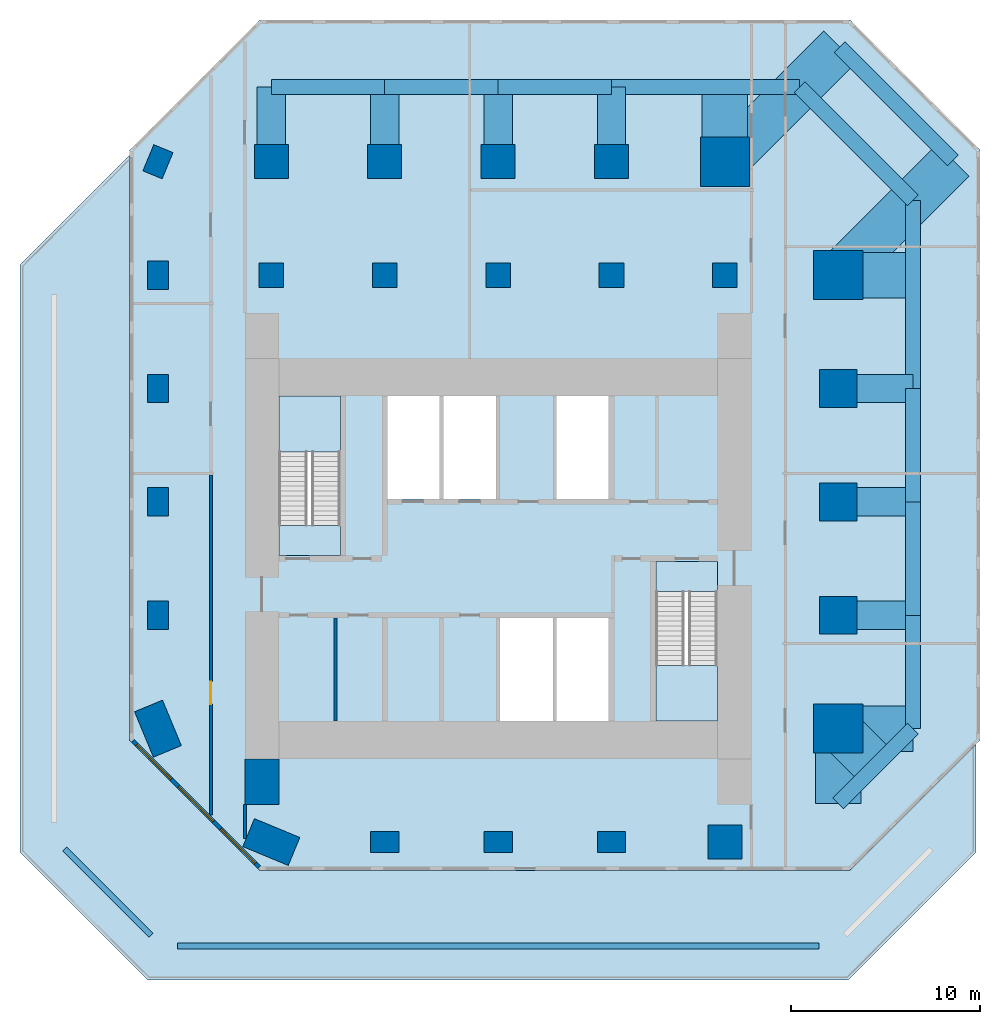
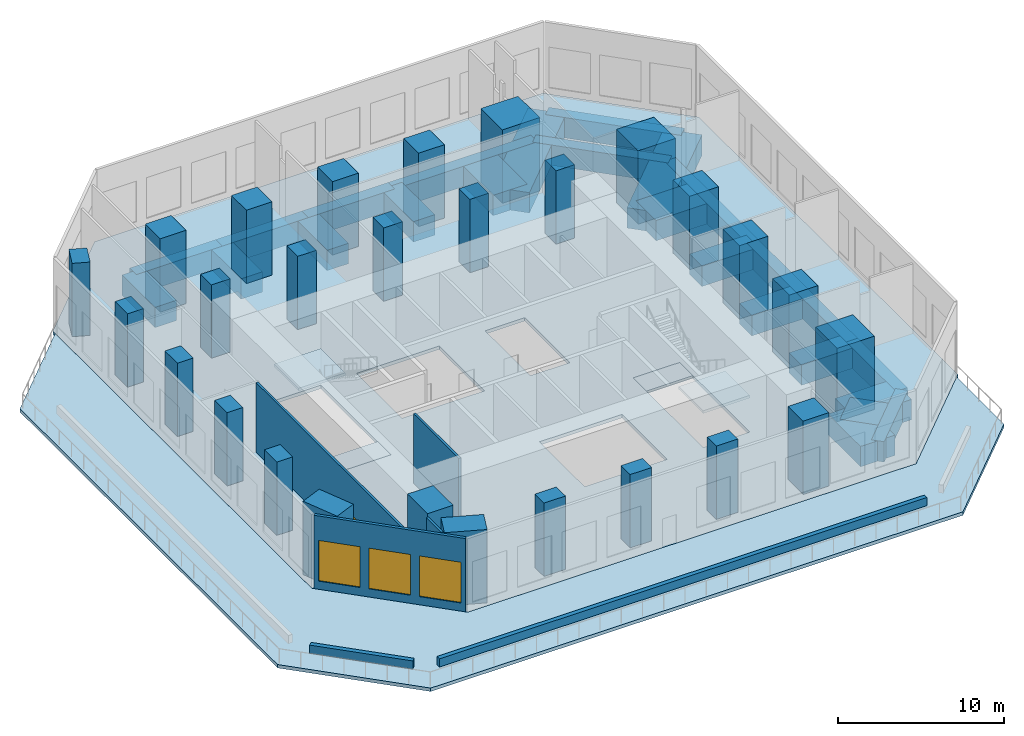
# One storey, part 1 of 7: 26 columns, 25 beams, 7 walls, 6 slabs, 3 windows, 1 door, 4 openings, 2 elements without a shape of their own.
"""IFC4 building model written with IfcOpenShell, lengths in metres."""

from ifc_helpers import new_model, si_unit, direction, frame, frame_2d, origin, origin_2d, place, context, subcontext, project, spatial, polyline, rectangle, outline, extrude, material, layer, layer_set, material_profile, profile_set, type_object, element, fill, aggregate, save


model = new_model("IFC4")

# Units and contexts
model_context = context("Model", 3, precision=1e-05, world=origin(), true_north=direction((0.0, 1.0)))
body_context = subcontext(model_context, "Body", "Model", "MODEL_VIEW")
ifc_project = project(units=[si_unit("LENGTHUNIT", "METRE"), si_unit("AREAUNIT", "SQUARE_METRE"), si_unit("VOLUMEUNIT", "CUBIC_METRE"), si_unit("PLANEANGLEUNIT", "RADIAN"), si_unit("MASSUNIT", "GRAM", prefix="KILO")], contexts=[model_context])

# Site, building, storey
site_placement = place(None, origin())
site = spatial("IfcSite", under=ifc_project, at=site_placement, CompositionType="ELEMENT")
building_placement = place(site_placement, origin())
building = spatial("IfcBuilding", under=site, at=building_placement, Name="Highveld Stack Headquarters", CompositionType="ELEMENT")
storey_placement = place(building_placement, frame((0.0, 0.0, 164.0)))
storey = spatial("IfcBuildingStorey", under=building, at=storey_placement, Name="L40", CompositionType="ELEMENT", Elevation=164.0)

# Columns
ifc_material_1 = material(Name="Concrete C60/75", Category="concrete")
ifc_material_profile_1 = material_profile(ifc_material_1, rectangle(XDim=1.300048828125, YDim=1.300048828125, at=origin_2d()), Name="RC 1300x1300")
ifc_profile_set_1 = profile_set([ifc_material_profile_1], Name="Concrete C60/75")
column_type_1 = type_object("IfcColumnType", Name="COLUMN RC 1300x1300 C60/75", PredefinedType="COLUMN", material=ifc_profile_set_1)
for number, where, z_axis, x_axis, name in (
    (1, (-6.0, 18.0, 0.0), (0.0, 0.0, 1.0), (1.0, 0.0, 0.0), "Column 5/H L40"),
    (2, (0.0, 18.0, 0.0), (0.0, 0.0, 1.0), (1.0, 0.0, 0.0), "Column 6/H L40"),
    (3, (6.0, 18.0, 0.0), (0.0, 0.0, 1.0), (1.0, 0.0, 0.0), "Column 7/H L40"),
    (4, (12.0, 18.0, 0.0), (0.0, 0.0, 1.0), (1.0, 0.0, 0.0), "Column 8/H L40"),
    (5, (18.0, 18.0, 0.0), (0.0, 0.0, 1.0), (1.0, 0.0, 0.0), "Column 9/H L40"),
):
    element("IfcColumn", number, at=place(storey_placement, frame(where, z_axis=z_axis, x_axis=x_axis)), inside=storey, type_object=column_type_1, Name=name, PredefinedType="COLUMN", context=body_context, shape_type="SweptSolid", body=[
        extrude(rectangle(XDim=1.300048828125, YDim=1.300048828125, at=origin_2d()), origin(), (0.0, 0.0, 1.0), 5.39990234375),
    ])
ifc_material_2 = material(Name="Concrete C60/75", Category="concrete")
ifc_material_profile_2 = material_profile(ifc_material_2, rectangle(XDim=1.5, YDim=1.10009765625, at=origin_2d()), Name="RC 1500x1100")
ifc_profile_set_2 = profile_set([ifc_material_profile_2], Name="Concrete C60/75")
column_type_2 = type_object("IfcColumnType", Name="COLUMN RC 1500x1100 C60/75", PredefinedType="COLUMN", material=ifc_profile_set_2)
for number, where, z_axis, x_axis, name in (
    (6, (-12.0, 0.0, 0.0), (0.0, 0.0, 1.0), (0.0, 1.0, 0.0), "Column 4/E L40"),
    (7, (-12.0, 6.0, 0.0), (0.0, 0.0, 1.0), (0.0, 1.0, 0.0), "Column 4/F L40"),
    (8, (-12.0, 12.0, 0.0), (0.0, 0.0, 1.0), (0.0, 1.0, 0.0), "Column 4/G L40"),
    (9, (-12.0, 18.0, 0.0), (0.0, 0.0, 1.0), (0.0, 1.0, 0.0), "Column 4/H L40"),
    (10, (-12.0, 24.0, 0.0), (0.0, 0.0, 1.0), (0.382683432365, 0.923879532511, 0.0), "Column 4/J L40"),
    (11, (0.0, -12.0, 0.0), (0.0, 0.0, 1.0), (1.0, 0.0, 0.0), "Column 6/C L40"),
    (12, (6.0, -12.0, 0.0), (0.0, 0.0, 1.0), (1.0, 0.0, 0.0), "Column 7/C L40"),
    (13, (12.0, -12.0, 0.0), (0.0, 0.0, 1.0), (1.0, 0.0, 0.0), "Column 8/C L40"),
):
    element("IfcColumn", number, at=place(storey_placement, frame(where, z_axis=z_axis, x_axis=x_axis)), inside=storey, type_object=column_type_2, Name=name, PredefinedType="COLUMN", context=body_context, shape_type="SweptSolid", body=[
        extrude(rectangle(XDim=1.5, YDim=1.10009765625, at=origin_2d()), origin(), (0.0, 0.0, 1.0), 5.39990234375),
    ])
ifc_material_3 = material(Name="Concrete C60/75", Category="concrete")
ifc_material_profile_3 = material_profile(ifc_material_3, rectangle(XDim=1.800048828125, YDim=1.800048828125, at=origin_2d()), Name="RC 1800x1800")
ifc_profile_set_3 = profile_set([ifc_material_profile_3], Name="Concrete C60/75")
column_type_3 = type_object("IfcColumnType", Name="COLUMN RC 1800x1800 C60/75", PredefinedType="COLUMN", material=ifc_profile_set_3)
for number, where, z_axis, x_axis, name in (
    (14, (-6.0, 24.0, 0.0), (0.0, 0.0, 1.0), (1.0, 0.0, 0.0), "Column 5/J L40"),
    (15, (0.0, 24.0, 0.0), (0.0, 0.0, 1.0), (1.0, 0.0, 0.0), "Column 6/J L40"),
    (16, (6.0, 24.0, 0.0), (0.0, 0.0, 1.0), (1.0, 0.0, 0.0), "Column 7/J L40"),
    (17, (12.0, 24.0, 0.0), (0.0, 0.0, 1.0), (1.0, 0.0, 0.0), "Column 8/J L40"),
    (18, (18.0, -12.0, 0.0), (0.0, 0.0, 1.0), (1.0, 0.0, 0.0), "Column 9/C L40"),
):
    element("IfcColumn", number, at=place(storey_placement, frame(where, z_axis=z_axis, x_axis=x_axis)), inside=storey, type_object=column_type_3, Name=name, PredefinedType="COLUMN", context=body_context, shape_type="SweptSolid", body=[
        extrude(rectangle(XDim=1.800048828125, YDim=1.800048828125, at=origin_2d()), origin(), (0.0, 0.0, 1.0), 5.39990234375),
    ])
ifc_material_4 = material(Name="Concrete C60/75", Category="concrete")
ifc_material_profile_4 = material_profile(ifc_material_4, rectangle(XDim=2.0, YDim=2.0, at=origin_2d()), Name="RC 2000x2000")
ifc_profile_set_4 = profile_set([ifc_material_profile_4], Name="Concrete C60/75")
column_type_4 = type_object("IfcColumnType", Name="COLUMN RC 2000x2000 C60/75", PredefinedType="COLUMN", material=ifc_profile_set_4)
for number, where, z_axis, x_axis, name in (
    (19, (24.0, 0.0, 0.0), (0.0, 0.0, 1.0), (1.0, 0.0, 0.0), "Column 10/E L40"),
    (20, (24.0, 6.0, 0.0), (0.0, 0.0, 1.0), (1.0, 0.0, 0.0), "Column 10/F L40"),
    (21, (24.0, 12.0, 0.0), (0.0, 0.0, 1.0), (1.0, 0.0, 0.0), "Column 10/G L40"),
):
    element("IfcColumn", number, at=place(storey_placement, frame(where, z_axis=z_axis, x_axis=x_axis)), inside=storey, type_object=column_type_4, Name=name, PredefinedType="COLUMN", context=body_context, shape_type="SweptSolid", body=[
        extrude(rectangle(XDim=2.0, YDim=2.0, at=origin_2d()), origin(), (0.0, 0.0, 1.0), 5.39990234375),
    ])
ifc_material_5 = material(Name="Concrete C60/75", Category="concrete")
ifc_material_profile_5 = material_profile(ifc_material_5, rectangle(XDim=2.60009765625, YDim=1.60009765625, at=origin_2d()), Name="RC 2600x1600")
ifc_profile_set_5 = profile_set([ifc_material_profile_5], Name="Concrete C60/75")
column_type_5 = type_object("IfcColumnType", Name="COLUMN RC 2600x1600 C60/75", PredefinedType="COLUMN", material=ifc_profile_set_5)
for number, where, z_axis, x_axis, name in (
    (22, (-12.0, -6.0, 0.0), (0.0, 0.0, 1.0), (-0.382683432365, 0.923879532511, 0.0), "Column 4/D L40"),
    (23, (-6.0, -12.0, 0.0), (0.0, 0.0, 1.0), (-0.923879532511, 0.382683432365, 0.0), "Column 5/C L40"),
):
    element("IfcColumn", number, at=place(storey_placement, frame(where, z_axis=z_axis, x_axis=x_axis)), inside=storey, type_object=column_type_5, Name=name, PredefinedType="COLUMN", context=body_context, shape_type="SweptSolid", body=[
        extrude(rectangle(XDim=2.60009765625, YDim=1.60009765625, at=origin_2d()), origin(), (0.0, 0.0, 1.0), 5.39990234375),
    ])
ifc_material_6 = material(Name="Concrete C60/75", Category="concrete")
ifc_material_profile_6 = material_profile(ifc_material_6, rectangle(XDim=2.60009765625, YDim=2.60009765625, at=origin_2d()), Name="RC 2600x2600")
ifc_profile_set_6 = profile_set([ifc_material_profile_6], Name="Concrete C60/75")
column_type_6 = type_object("IfcColumnType", Name="COLUMN RC 2600x2600 C60/75", PredefinedType="COLUMN", material=ifc_profile_set_6)
for number, where, z_axis, x_axis, name in (
    (24, (18.0, 24.0, 0.0), (0.0, 0.0, 1.0), (1.0, 0.0, 0.0), "Column 9/J L40"),
    (25, (24.0, -6.0, 0.0), (0.0, 0.0, 1.0), (1.0, 0.0, 0.0), "Column 10/D L40"),
    (26, (24.0, 18.0, 0.0), (0.0, 0.0, 1.0), (1.0, 0.0, 0.0), "Column 10/H L40"),
):
    element("IfcColumn", number, at=place(storey_placement, frame(where, z_axis=z_axis, x_axis=x_axis)), inside=storey, type_object=column_type_6, Name=name, PredefinedType="COLUMN", context=body_context, shape_type="SweptSolid", body=[
        extrude(rectangle(XDim=2.60009765625, YDim=2.60009765625, at=origin_2d()), origin(), (0.0, 0.0, 1.0), 5.39990234375),
    ])

# Beams
ifc_material_7 = material(Name="Concrete C60/75", Category="concrete")
ifc_material_profile_7 = material_profile(ifc_material_7, rectangle(XDim=1.5, YDim=1.5, at=origin_2d()), Name="RC 1500x1500")
ifc_profile_set_7 = profile_set([ifc_material_profile_7], Name="Concrete C60/75")
beam_type_1 = type_object("IfcBeamType", Name="CANTILEVER RIB RC 1500x1500", PredefinedType="USERDEFINED", material=ifc_profile_set_7)
for number, where, z_axis, x_axis, name in (
    (27, (-6.0, 24.0, -1.0), (0.0, 1.0, 0.0), (-1.0, 0.0, 0.0), "Cantilever rib 5/J L40"),
    (28, (0.0, 24.0, -1.0), (0.0, 1.0, 0.0), (-1.0, 0.0, 0.0), "Cantilever rib 6/J L40"),
    (29, (6.0, 24.0, -1.0), (0.0, 1.0, 0.0), (-1.0, 0.0, 0.0), "Cantilever rib 7/J L40"),
    (30, (12.0, 24.0, -1.0), (0.0, 1.0, 0.0), (-1.0, 0.0, 0.0), "Cantilever rib 8/J L40"),
    (31, (24.0, 0.0, -1.0), (1.0, 0.0, 0.0), (0.0, 1.0, 0.0), "Cantilever rib 10/E L40"),
    (32, (24.0, 6.0, -1.0), (1.0, 0.0, 0.0), (0.0, 1.0, 0.0), "Cantilever rib 10/F L40"),
    (33, (24.0, 12.0, -1.0), (1.0, 0.0, 0.0), (0.0, 1.0, 0.0), "Cantilever rib 10/G L40"),
):
    element("IfcBeam", number, at=place(storey_placement, frame(where, z_axis=z_axis, x_axis=x_axis)), inside=storey, type_object=beam_type_1, Name=name, ObjectType="CANTILEVER RIB", PredefinedType="USERDEFINED", context=body_context, shape_type="SweptSolid", body=[
        extrude(rectangle(XDim=1.5, YDim=1.5, at=origin_2d()), origin(), (0.0, 0.0, 1.0), 3.949951171875),
    ])
ifc_material_8 = material(Name="Concrete C60/75", Category="concrete")
ifc_material_profile_8 = material_profile(ifc_material_8, rectangle(XDim=2.39990234375, YDim=1.5, at=origin_2d()), Name="RC 2400x1500")
ifc_profile_set_8 = profile_set([ifc_material_profile_8], Name="Concrete C60/75")
beam_type_2 = type_object("IfcBeamType", Name="CANTILEVER RIB RC 2400x1500", PredefinedType="USERDEFINED", material=ifc_profile_set_8)
beam_1_placement = place(storey_placement, frame((18.0, 24.0, -1.0), z_axis=(0.0, 1.0, 0.0), x_axis=(-1.0, 0.0, 0.0)))
element("IfcBeam", 34, at=beam_1_placement, inside=storey, type_object=beam_type_2, Name="Cantilever rib 9/J L40", ObjectType="CANTILEVER RIB", PredefinedType="USERDEFINED", context=body_context, shape_type="SweptSolid", body=[
    extrude(rectangle(XDim=2.39990234375, YDim=1.5, at=origin_2d()), origin(), (0.0, 0.0, 1.0), 3.949951171875),
])
beam_2_placement = place(storey_placement, frame((18.0, 24.0, -1.0), z_axis=(0.707106781187, 0.707106781187, 0.0), x_axis=(-0.707106781187, 0.707106781187, 0.0)))
element("IfcBeam", 35, at=beam_2_placement, inside=storey, type_object=beam_type_2, Name="Cantilever rib 9/J L40", ObjectType="CANTILEVER RIB", PredefinedType="USERDEFINED", context=body_context, shape_type="SweptSolid", body=[
    extrude(rectangle(XDim=2.39990234375, YDim=1.5, at=origin_2d()), origin(), (0.0, 0.0, 1.0), 8.585693359375),
])
for number, where, z_axis, x_axis, name in (
    (36, (24.0, -6.0, -1.0), (1.0, 0.0, 0.0), (0.0, 1.0, 0.0), "Cantilever rib 10/D L40"),
    (37, (24.0, -6.0, -1.0), (0.0, -1.0, 0.0), (1.0, 0.0, 0.0), "Cantilever rib 10/D L40"),
):
    element("IfcBeam", number, at=place(storey_placement, frame(where, z_axis=z_axis, x_axis=x_axis)), inside=storey, type_object=beam_type_2, Name=name, ObjectType="CANTILEVER RIB", PredefinedType="USERDEFINED", context=body_context, shape_type="SweptSolid", body=[
        extrude(rectangle(XDim=2.39990234375, YDim=1.5, at=origin_2d()), origin(), (0.0, 0.0, 1.0), 3.949951171875),
    ])
beam_3_placement = place(storey_placement, frame((24.0, -6.0, -1.0), z_axis=(0.707106781187, -0.707106781187, 0.0), x_axis=(0.707106781187, 0.707106781187, 0.0)))
element("IfcBeam", 38, at=beam_3_placement, inside=storey, type_object=beam_type_2, Name="Cantilever rib 10/D L40", ObjectType="CANTILEVER RIB", PredefinedType="USERDEFINED", context=body_context, shape_type="SweptSolid", body=[
    extrude(rectangle(XDim=2.39990234375, YDim=1.5, at=origin_2d()), origin(), (0.0, 0.0, 1.0), 2.793212890625),
])
beam_4_placement = place(storey_placement, frame((24.0, 18.0, -1.0), z_axis=(1.0, 0.0, 0.0), x_axis=(0.0, 1.0, 0.0)))
element("IfcBeam", 39, at=beam_4_placement, inside=storey, type_object=beam_type_2, Name="Cantilever rib 10/H L40", ObjectType="CANTILEVER RIB", PredefinedType="USERDEFINED", context=body_context, shape_type="SweptSolid", body=[
    extrude(rectangle(XDim=2.39990234375, YDim=1.5, at=origin_2d()), origin(), (0.0, 0.0, 1.0), 3.949951171875),
])
beam_5_placement = place(storey_placement, frame((24.0, 18.0, -1.0), z_axis=(0.707106781187, 0.707106781187, 0.0), x_axis=(-0.707106781187, 0.707106781187, 0.0)))
element("IfcBeam", 40, at=beam_5_placement, inside=storey, type_object=beam_type_2, Name="Cantilever rib 10/H L40", ObjectType="CANTILEVER RIB", PredefinedType="USERDEFINED", context=body_context, shape_type="SweptSolid", body=[
    extrude(rectangle(XDim=2.39990234375, YDim=1.5, at=origin_2d()), origin(), (0.0, 0.0, 1.0), 8.585693359375),
])
ifc_material_9 = material(Name="Concrete C60/75", Category="concrete")
ifc_material_profile_9 = material_profile(ifc_material_9, rectangle(XDim=0.800048828125, YDim=1.5, at=origin_2d()), Name="RC 800x1500")
ifc_profile_set_9 = profile_set([ifc_material_profile_9], Name="Concrete C60/75")
beam_type_3 = type_object("IfcBeamType", Name="RIB TIP BEAM RC 800x1500", PredefinedType="SPANDREL", material=ifc_profile_set_9)
for number, where, z_axis, x_axis, name in (
    (41, (27.949951171875, -6.0, -1.0), (0.0, 1.0, 0.0), (-1.0, 0.0, 0.0), "Rib tip beam 10/D to 10/E L40"),
    (42, (27.949951171875, 0.0, -1.0), (0.0, 1.0, 0.0), (-1.0, 0.0, 0.0), "Rib tip beam 10/E to 10/F L40"),
    (43, (27.949951171875, 6.0, -1.0), (0.0, 1.0, 0.0), (-1.0, 0.0, 0.0), "Rib tip beam 10/F to 10/G L40"),
):
    element("IfcBeam", number, at=place(storey_placement, frame(where, z_axis=z_axis, x_axis=x_axis)), inside=storey, type_object=beam_type_3, Name=name, PredefinedType="SPANDREL", context=body_context, shape_type="SweptSolid", body=[
        extrude(rectangle(XDim=0.800048828125, YDim=1.5, at=origin_2d()), origin(), (0.0, 0.0, 1.0), 6.0),
    ])
beam_6_placement = place(storey_placement, frame((27.949951171875, 12.0, -1.0), z_axis=(0.0, 1.0, 0.0), x_axis=(-1.0, 0.0, 0.0)))
element("IfcBeam", 44, at=beam_6_placement, inside=storey, type_object=beam_type_3, Name="Rib tip beam 10/G to 10/H L40", PredefinedType="SPANDREL", context=body_context, shape_type="SweptSolid", body=[
    extrude(rectangle(XDim=0.800048828125, YDim=1.5, at=origin_2d()), origin(), (0.0, 0.0, 1.0), 9.949951171875),
])
for number, where, z_axis, x_axis, name in (
    (45, (-6.0, 27.949951171875, -1.0), (1.0, 0.0, 0.0), (0.0, 1.0, 0.0), "Rib tip beam 5/J to 6/J L40"),
    (46, (0.0, 27.949951171875, -1.0), (1.0, 0.0, 0.0), (0.0, 1.0, 0.0), "Rib tip beam 6/J to 7/J L40"),
    (47, (6.0, 27.949951171875, -1.0), (1.0, 0.0, 0.0), (0.0, 1.0, 0.0), "Rib tip beam 7/J to 8/J L40"),
):
    element("IfcBeam", number, at=place(storey_placement, frame(where, z_axis=z_axis, x_axis=x_axis)), inside=storey, type_object=beam_type_3, Name=name, PredefinedType="SPANDREL", context=body_context, shape_type="SweptSolid", body=[
        extrude(rectangle(XDim=0.800048828125, YDim=1.5, at=origin_2d()), origin(), (0.0, 0.0, 1.0), 6.0),
    ])
beam_7_placement = place(storey_placement, frame((12.0, 27.949951171875, -1.0), z_axis=(1.0, 0.0, 0.0), x_axis=(0.0, 1.0, 0.0)))
element("IfcBeam", 48, at=beam_7_placement, inside=storey, type_object=beam_type_3, Name="Rib tip beam 8/J to 9/J L40", PredefinedType="SPANDREL", context=body_context, shape_type="SweptSolid", body=[
    extrude(rectangle(XDim=0.800048828125, YDim=1.5, at=origin_2d()), origin(), (0.0, 0.0, 1.0), 9.949951171875),
])
for number, where, z_axis, x_axis, name in (
    (49, (21.949951171875, 27.949951171875, -1.0), (0.707106781187, -0.707106781187, 0.0), (0.707106781187, 0.707106781187, 0.0), "Rib tip beam 9/J to 10/H chamfer L40"),
    (50, (24.071044921875, 30.071044921875, -1.0), (0.707106781187, -0.707106781187, 0.0), (0.707106781187, 0.707106781187, 0.0), "Rib tip beam 9/J to 10/H chamfer edge L40"),
):
    element("IfcBeam", number, at=place(storey_placement, frame(where, z_axis=z_axis, x_axis=x_axis)), inside=storey, type_object=beam_type_3, Name=name, PredefinedType="SPANDREL", context=body_context, shape_type="SweptSolid", body=[
        extrude(rectangle(XDim=0.800048828125, YDim=1.5, at=origin_2d()), origin(), (0.0, 0.0, 1.0), 8.4853515625),
    ])
beam_8_placement = place(storey_placement, frame((27.949951171875, -6.0, -1.0), z_axis=(-0.707106781187, -0.707106781187, 0.0), x_axis=(0.707106781187, -0.707106781187, 0.0)))
element("IfcBeam", 51, at=beam_8_placement, inside=storey, type_object=beam_type_3, Name="Rib tip beam 10/D corner L40", PredefinedType="SPANDREL", context=body_context, shape_type="SweptSolid", body=[
    extrude(rectangle(XDim=0.800048828125, YDim=1.5, at=origin_2d()), origin(), (0.0, 0.0, 1.0), 5.586181640625),
])

# Slab
ifc_material_10 = material(Name="Concrete C60/75", Category="concrete")
ifc_layer_1 = layer(ifc_material_10, 0.25)
ifc_layer_set_1 = layer_set([ifc_layer_1], Name="Concrete C60/75")
slab_type_1 = type_object("IfcSlabType", Name="PT FLAT SLAB 250", PredefinedType="FLOOR", material=ifc_layer_set_1)
slab_1_placement = place(storey_placement, frame((0.0, 0.0, -0.25)))
element("IfcSlab", 52, at=slab_1_placement, inside=storey, type_object=slab_type_1, Name="Floor slab L40", PredefinedType="FLOOR", context=body_context, shape_type="SweptSolid", body=[
    extrude(outline(polyline([(-6.621337890625, -13.5), (24.621337890625, -13.5), (31.5, -6.621337890625), (31.5, 24.621337890625), (24.621337890625, 31.5), (-6.621337890625, 31.5), (-13.5, 24.621337890625), (-13.5, -6.621337890625), (-6.621337890625, -13.5)]), holes=[polyline([(0.14990234375, 6.14990234375), (5.89990234375, 6.14990234375), (5.89990234375, 11.60009765625), (0.14990234375, 11.60009765625), (0.14990234375, 6.14990234375)]), polyline([(9.10009765625, 6.14990234375), (11.85009765625, 6.14990234375), (11.85009765625, 11.60009765625), (9.10009765625, 11.60009765625), (9.10009765625, 6.14990234375)]), polyline([(6.10009765625, -5.60009765625), (11.85009765625, -5.60009765625), (11.85009765625, -0.14990234375), (6.10009765625, -0.14990234375), (6.10009765625, -5.60009765625)]), polyline([(-5.60009765625, 3.14990234375), (-2.35009765625, 3.14990234375), (-2.35009765625, 11.60009765625), (-5.60009765625, 11.60009765625), (-5.60009765625, 3.14990234375)]), polyline([(14.35009765625, -5.60009765625), (17.60009765625, -5.60009765625), (17.60009765625, 2.85009765625), (14.35009765625, 2.85009765625), (14.35009765625, -5.60009765625)])]), origin(), (0.0, 0.0, 1.0), 0.25),
])

# Stair, slabs
ifc_material_11 = material(Name="Concrete C40/50, precast", Category="concrete")
stair_type_1 = type_object("IfcStairType", Name="STAIR S1 HALF TURN 1500", PredefinedType="HALF_TURN_STAIR", material=ifc_material_11)
stair_1_placement = place(storey_placement, origin())
stair_1 = element("IfcStair", 53, at=stair_1_placement, inside=storey, type_object=stair_type_1, Name="Stair S1 L40", PredefinedType="HALF_TURN_STAIR")
ifc_material_12 = material(Name="Concrete C40/50, precast", Category="concrete")
ifc_layer_2 = layer(ifc_material_12, 0.199951171875)
ifc_layer_set_2 = layer_set([ifc_layer_2], Name="Concrete C40/50, precast")
slab_type_2 = type_object("IfcSlabType", Name="STAIR LANDING 200", PredefinedType="LANDING", material=ifc_layer_set_2)
slab_2_placement = place(storey_placement, frame((0.0, 0.0, 2.5)))
slab_2 = element("IfcSlab", 54, at=slab_2_placement, type_object=slab_type_2, Name="S1 landing 1", PredefinedType="LANDING", context=body_context, shape_type="SweptSolid", body=[
    extrude(outline(polyline([(-5.60009765625, 8.64990234375), (-2.35009765625, 8.64990234375), (-2.35009765625, 11.60009765625), (-5.60009765625, 11.60009765625), (-5.60009765625, 8.64990234375)])), origin(), (0.0, 0.0, 1.0), 0.199951171875),
])
slab_3_placement = place(storey_placement, frame((0.0, 0.0, -0.199951171875)))
slab_3 = element("IfcSlab", 55, at=slab_3_placement, type_object=slab_type_2, Name="S1 landing 2", PredefinedType="LANDING", context=body_context, shape_type="SweptSolid", body=[
    extrude(outline(polyline([(-5.60009765625, 3.14990234375), (-2.35009765625, 3.14990234375), (-2.35009765625, 4.75), (-5.60009765625, 4.75), (-5.60009765625, 3.14990234375)])), origin(), (0.0, 0.0, 1.0), 0.199951171875),
])
aggregate(stair_1, [slab_2, slab_3])

ifc_material_13 = material(Name="Concrete C40/50, precast", Category="concrete")
stair_type_2 = type_object("IfcStairType", Name="STAIR S2 HALF TURN 1500", PredefinedType="HALF_TURN_STAIR", material=ifc_material_13)
stair_2_placement = place(storey_placement, origin())
stair_2 = element("IfcStair", 56, at=stair_2_placement, inside=storey, type_object=stair_type_2, Name="Stair S2 L40", PredefinedType="HALF_TURN_STAIR")
slab_4_placement = place(storey_placement, frame((0.0, 0.0, 2.5)))
slab_4 = element("IfcSlab", 57, at=slab_4_placement, type_object=slab_type_2, Name="S2 landing 1", PredefinedType="LANDING", context=body_context, shape_type="SweptSolid", body=[
    extrude(outline(polyline([(14.35009765625, -5.60009765625), (17.60009765625, -5.60009765625), (17.60009765625, -2.64990234375), (14.35009765625, -2.64990234375), (14.35009765625, -5.60009765625)])), origin(), (0.0, 0.0, 1.0), 0.199951171875),
])
slab_5_placement = place(storey_placement, frame((0.0, 0.0, -0.199951171875)))
slab_5 = element("IfcSlab", 58, at=slab_5_placement, type_object=slab_type_2, Name="S2 landing 2", PredefinedType="LANDING", context=body_context, shape_type="SweptSolid", body=[
    extrude(outline(polyline([(14.35009765625, 1.25), (17.60009765625, 1.25), (17.60009765625, 2.85009765625), (14.35009765625, 2.85009765625), (14.35009765625, 1.25)])), origin(), (0.0, 0.0, 1.0), 0.199951171875),
])
aggregate(stair_2, [slab_4, slab_5])

# Slab
ifc_material_14 = material(Name="Concrete C60/75", Category="concrete")
ifc_layer_3 = layer(ifc_material_14, 0.25)
ifc_layer_set_3 = layer_set([ifc_layer_3], Name="Concrete C60/75")
slab_type_3 = type_object("IfcSlabType", Name="TERRACE SLAB 250", PredefinedType="FLOOR", material=ifc_layer_set_3)
slab_6_placement = place(storey_placement, frame((0.0, 0.0, -0.25)))
element("IfcSlab", 59, at=slab_6_placement, inside=storey, type_object=slab_type_3, Name="Planted terrace L40", PredefinedType="FLOOR", context=body_context, shape_type="SweptSolid", body=[
    extrude(outline(polyline([(31.300048828125, -12.53857421875), (24.53857421875, -19.300048828125), (-12.53857421875, -19.300048828125), (-19.300048828125, -12.53857421875), (-19.300048828125, 18.53857421875), (-13.5, 24.33837890625), (-13.5, -6.621337890625), (-6.621337890625, -13.5), (24.621337890625, -13.5), (31.300048828125, -6.8212890625), (31.300048828125, -12.53857421875)])), origin(), (0.0, 0.0, 1.0), 0.25),
])

# Wall
ifc_material_15 = material(Name="Concrete C60/75", Category="concrete")
ifc_layer_4 = layer(ifc_material_15, 1.800048828125)
ifc_layer_set_4 = layer_set([ifc_layer_4], Name="Concrete C60/75")
wall_type_1 = type_object("IfcWallType", Name="CORE WING WALL 1800 C60/75", PredefinedType="SHEAR", material=ifc_layer_set_4)
wall_1_placement = place(storey_placement, frame((-6.5, -10.0, 0.0), z_axis=(0.0, 0.0, 1.0), x_axis=(0.0, 1.0, 0.0)))
element("IfcWall", 60, at=wall_1_placement, inside=storey, type_object=wall_type_1, Name="Core wing wall WS L40", PredefinedType="SHEAR", context=body_context, shape_type="SweptSolid", body=[
    extrude(rectangle(XDim=2.39990234375, YDim=1.800048828125, at=frame_2d((1.199951171875, 0.0))), origin(), (0.0, 0.0, 1.0), 5.39990234375),
])

# Wall, opening, door
ifc_material_16 = material(Name="Concrete blockwork, plastered", Category="masonry")
ifc_layer_5 = layer(ifc_material_16, 0.14990234375)
ifc_layer_set_5 = layer_set([ifc_layer_5], Name="Concrete blockwork, plastered")
wall_type_2 = type_object("IfcWallType", Name="FIRE PARTITION 150 BLOCKWORK", PredefinedType="PARTITIONING", material=ifc_layer_set_5)
wall_2_placement = place(storey_placement, frame((-9.199951171875, -10.555908203125, 0.0), z_axis=(0.0, 0.0, 1.0), x_axis=(0.0, 1.0, 0.0)))
wall_2 = element("IfcWall", 61, at=wall_2_placement, inside=storey, type_object=wall_type_2, Name="Partition office neighbourhood L40", PredefinedType="PARTITIONING", context=body_context, shape_type="SweptSolid", body=[
    extrude(rectangle(XDim=17.98095703125, YDim=0.14990234375, at=frame_2d((8.990478515625, 0.0))), origin(), (0.0, 0.0, 1.0), 5.14990234375),
])
opening_1_placement = place(wall_2_placement, frame((5.85009765625, 0.0, 0.0)))
opening_1 = element("IfcOpeningElement", 62, at=opening_1_placement, cuts=wall_2, Name="Opening L40-15", PredefinedType="OPENING", context=body_context, shape_type="SweptSolid", body=[
    extrude(rectangle(XDim=1.199951171875, YDim=2.39990234375, at=frame_2d((0.60009765625, 1.199951171875))), frame((0.0, 0.0849609375, 0.0), z_axis=(0.0, -1.0, 0.0), x_axis=(1.0, 0.0, 0.0)), (0.0, 0.0, 1.0), 0.169921875),
])
ifc_material_17 = material(Name="Steel fire door", Category="steel")
door_type = type_object("IfcDoorType", Name="PLANT FIRE DOOR D7 1200x2400", OperationType="SINGLE_SWING_LEFT", PredefinedType="DOOR", material=ifc_material_17)
door_placement = place(opening_1_placement, origin())
door = element("IfcDoor", 63, at=door_placement, inside=storey, type_object=door_type, Name="Plant room door L40", OperationType="SINGLE_SWING_LEFT", OverallHeight=2.39990234375, OverallWidth=1.199951171875, PredefinedType="DOOR", context=body_context, shape_type="SweptSolid", body=[
    extrude(rectangle(XDim=1.199951171875, YDim=2.39990234375, at=frame_2d((0.60009765625, 1.199951171875))), frame((0.0, 0.02490234375, 0.0), z_axis=(0.0, -1.0, 0.0), x_axis=(1.0, 0.0, 0.0)), (0.0, 0.0, 1.0), 0.050048828125),
])
fill(opening_1, door)

# Walls
wall_3_placement = place(storey_placement, frame((-7.39990234375, -11.8017578125, 0.0), z_axis=(0.0, 0.0, 1.0), x_axis=(0.0, 1.0, 0.0)))
element("IfcWall", 64, at=wall_3_placement, inside=storey, type_object=wall_type_2, Name="Partition office neighbourhood L40", PredefinedType="PARTITIONING", context=body_context, shape_type="SweptSolid", body=[
    extrude(rectangle(XDim=1.8017578125, YDim=0.14990234375, at=frame_2d((0.90087890625, 0.0))), origin(), (0.0, 0.0, 1.0), 5.14990234375),
])
ifc_material_18 = material(Name="Concrete C40/50, precast planter", Category="concrete")
ifc_layer_6 = layer(ifc_material_18, 0.300048828125)
ifc_layer_set_6 = layer_set([ifc_layer_6], Name="Concrete C40/50, precast planter")
wall_type_3 = type_object("IfcWallType", Name="PLANTER WALL PL1 300", PredefinedType="USERDEFINED", material=ifc_layer_set_6)
wall_4_placement = place(storey_placement, frame((22.976318359375, -17.5, 0.0), z_axis=(0.0, 0.0, 1.0), x_axis=(-1.0, 0.0, 0.0)))
element("IfcWall", 65, at=wall_4_placement, inside=storey, type_object=wall_type_3, Name="Planter L40 1.3", ObjectType="PLANTER", PredefinedType="USERDEFINED", context=body_context, shape_type="SweptSolid", body=[
    extrude(rectangle(XDim=33.95263671875, YDim=0.300048828125, at=frame_2d((16.976318359375, 0.0))), origin(), (0.0, 0.0, 1.0), 0.60009765625),
])
wall_5_placement = place(storey_placement, frame((-12.370361328125, -16.922607421875, 0.0), z_axis=(0.0, 0.0, 1.0), x_axis=(-0.707106781187, 0.707106781187, 0.0)))
element("IfcWall", 66, at=wall_5_placement, inside=storey, type_object=wall_type_3, Name="Planter L40 1.4", ObjectType="PLANTER", PredefinedType="USERDEFINED", context=body_context, shape_type="SweptSolid", body=[
    extrude(rectangle(XDim=6.437744140625, YDim=0.300048828125, at=frame_2d((3.21875, 0.0))), origin(), (0.0, 0.0, 1.0), 0.60009765625),
])

# Wall, openings, windows
ifc_material_19 = material(Name="Concrete C40/50, precast cladding", Category="concrete")
ifc_layer_7 = layer(ifc_material_19, 0.199951171875)
ifc_layer_set_7 = layer_set([ifc_layer_7], Name="Concrete C40/50, precast cladding")
wall_type_4 = type_object("IfcWallType", Name="PRECAST LOUVRE WALL 200", PredefinedType="USERDEFINED", material=ifc_layer_set_7)
wall_6_placement = place(storey_placement, frame((-13.329345703125, -6.650634765625, 0.0), z_axis=(0.0, 0.0, 1.0), x_axis=(0.707106781187, -0.707106781187, 0.0)))
wall_6 = element("IfcWall", 67, at=wall_6_placement, inside=storey, type_object=wall_type_4, Name="Precast louvre wall L40 SW", ObjectType="PRECAST CLADDING", PredefinedType="USERDEFINED", context=body_context, shape_type="SweptSolid", body=[
    extrude(rectangle(XDim=9.445068359375, YDim=0.199951171875, at=frame_2d((4.72265625, 0.0))), origin(), (0.0, 0.0, 1.0), 5.39990234375),
])
opening_2_placement = place(wall_6_placement, frame((0.274169921875, 0.0, 0.60009765625)))
opening_2 = element("IfcOpeningElement", 68, at=opening_2_placement, cuts=wall_6, Name="Opening L2", PredefinedType="OPENING", context=body_context, shape_type="SweptSolid", body=[
    extrude(rectangle(XDim=2.60009765625, YDim=3.0, at=frame_2d((1.300048828125, 1.5))), frame((0.0, 0.10986328125, 0.0), z_axis=(0.0, -1.0, 0.0), x_axis=(1.0, 0.0, 0.0)), (0.0, 0.0, 1.0), 0.219970703125),
])
opening_3_placement = place(wall_6_placement, frame((3.422607421875, 0.0, 0.60009765625)))
opening_3 = element("IfcOpeningElement", 69, at=opening_3_placement, cuts=wall_6, Name="Opening L2", PredefinedType="OPENING", context=body_context, shape_type="SweptSolid", body=[
    extrude(rectangle(XDim=2.60009765625, YDim=3.0, at=frame_2d((1.300048828125, 1.5))), frame((0.0, 0.10986328125, 0.0), z_axis=(0.0, -1.0, 0.0), x_axis=(1.0, 0.0, 0.0)), (0.0, 0.0, 1.0), 0.219970703125),
])
opening_4_placement = place(wall_6_placement, frame((6.57080078125, 0.0, 0.60009765625)))
opening_4 = element("IfcOpeningElement", 70, at=opening_4_placement, cuts=wall_6, Name="Opening L2", PredefinedType="OPENING", context=body_context, shape_type="SweptSolid", body=[
    extrude(rectangle(XDim=2.60009765625, YDim=3.0, at=frame_2d((1.300048828125, 1.5))), frame((0.0, 0.10986328125, 0.0), z_axis=(0.0, -1.0, 0.0), x_axis=(1.0, 0.0, 0.0)), (0.0, 0.0, 1.0), 0.219970703125),
])
ifc_material_20 = material(Name="Aluminium bronze anodised", Category="aluminium")
window_type = type_object("IfcWindowType", Name="LOUVRE L2 2400x3000 CHAMFER", PartitioningType="SINGLE_PANEL", PredefinedType="USERDEFINED", material=ifc_material_20)
window_1_placement = place(opening_2_placement, origin())
window_1 = element("IfcWindow", 71, at=window_1_placement, inside=storey, type_object=window_type, Name="Louvre L40 SW 1", ObjectType="LOUVRE", OverallHeight=3.0, OverallWidth=2.60009765625, PartitioningType="SINGLE_PANEL", PredefinedType="USERDEFINED", context=body_context, shape_type="SweptSolid", body=[
    extrude(rectangle(XDim=2.60009765625, YDim=3.0, at=frame_2d((1.300048828125, 1.5))), frame((0.0, 0.030029296875, 0.0), z_axis=(0.0, -1.0, 0.0), x_axis=(1.0, 0.0, 0.0)), (0.0, 0.0, 1.0), 0.06005859375),
])
fill(opening_2, window_1)
window_2_placement = place(opening_3_placement, origin())
window_2 = element("IfcWindow", 72, at=window_2_placement, inside=storey, type_object=window_type, Name="Louvre L40 SW 2", ObjectType="LOUVRE", OverallHeight=3.0, OverallWidth=2.60009765625, PartitioningType="SINGLE_PANEL", PredefinedType="USERDEFINED", context=body_context, shape_type="SweptSolid", body=[
    extrude(rectangle(XDim=2.60009765625, YDim=3.0, at=frame_2d((1.300048828125, 1.5))), frame((0.0, 0.030029296875, 0.0), z_axis=(0.0, -1.0, 0.0), x_axis=(1.0, 0.0, 0.0)), (0.0, 0.0, 1.0), 0.06005859375),
])
fill(opening_3, window_2)
window_3_placement = place(opening_4_placement, origin())
window_3 = element("IfcWindow", 73, at=window_3_placement, inside=storey, type_object=window_type, Name="Louvre L40 SW 3", ObjectType="LOUVRE", OverallHeight=3.0, OverallWidth=2.60009765625, PartitioningType="SINGLE_PANEL", PredefinedType="USERDEFINED", context=body_context, shape_type="SweptSolid", body=[
    extrude(rectangle(XDim=2.60009765625, YDim=3.0, at=frame_2d((1.300048828125, 1.5))), frame((0.0, 0.030029296875, 0.0), z_axis=(0.0, -1.0, 0.0), x_axis=(1.0, 0.0, 0.0)), (0.0, 0.0, 1.0), 0.06005859375),
])
fill(opening_4, window_3)

# Wall
ifc_material_21 = material(Name="Concrete blockwork, tiled", Category="masonry")
ifc_layer_8 = layer(ifc_material_21, 0.14990234375)
ifc_layer_set_8 = layer_set([ifc_layer_8], Name="Concrete blockwork, tiled")
wall_type_5 = type_object("IfcWallType", Name="WC PARTITION 150", PredefinedType="PLUMBINGWALL", material=ifc_layer_set_8)
wall_7_placement = place(storey_placement, frame((-2.60009765625, -5.60009765625, 0.0), z_axis=(0.0, 0.0, 1.0), x_axis=(0.0, 1.0, 0.0)))
element("IfcWall", 74, at=wall_7_placement, inside=storey, type_object=wall_type_5, Name="Toilet partition L40", PredefinedType="PLUMBINGWALL", context=body_context, shape_type="SweptSolid", body=[
    extrude(rectangle(XDim=5.4501953125, YDim=0.14990234375, at=frame_2d((2.72509765625, 0.0))), origin(), (0.0, 0.0, 1.0), 5.14990234375),
])

save(model, "model.ifc")
